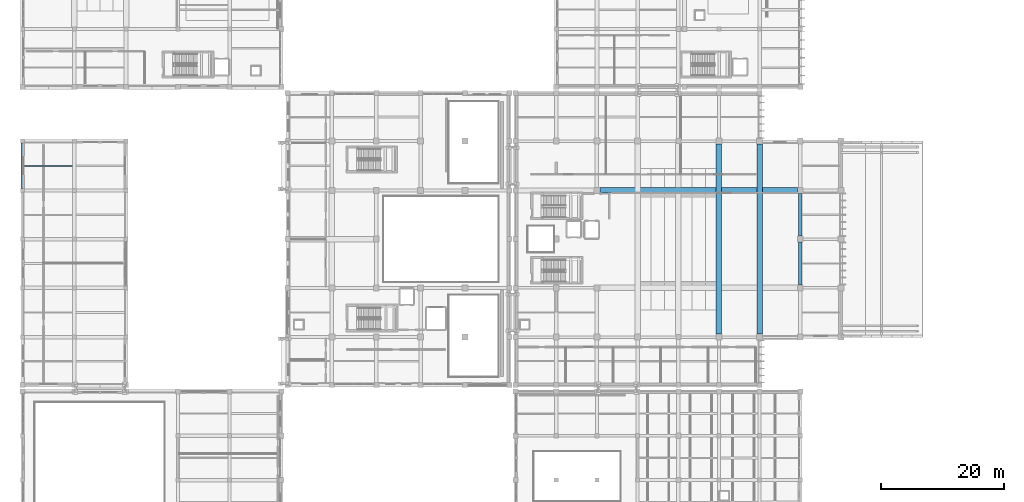
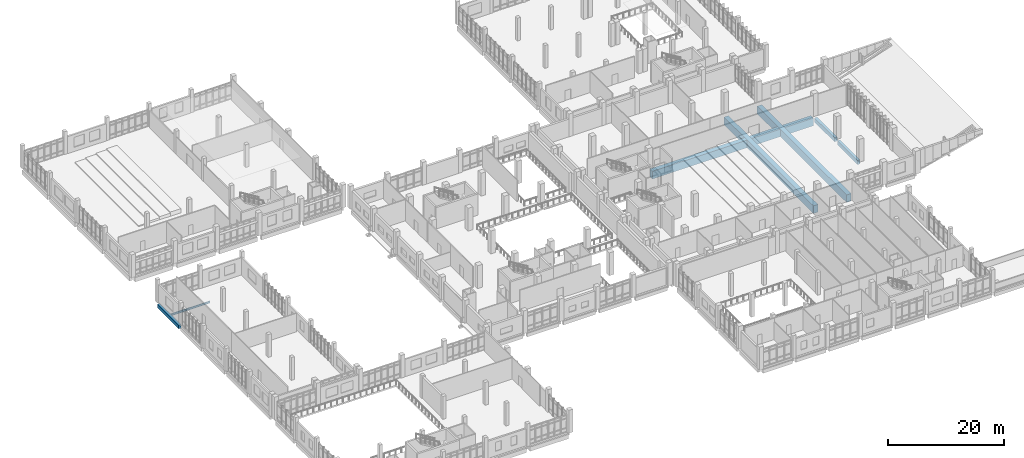
# One storey, part 20 of 90: 7 beams.
"""IFC4 building model written with IfcOpenShell, lengths in metres."""

from ifc_helpers import new_model, si_unit, direction, frame, origin, origin_2d, place, context, subcontext, project, spatial, rectangle, i_section, extrude, material, material_profile, profile_set, type_object, element, save


model = new_model("IFC4")

# Units and contexts
model_context = context("Model", 3, precision=1e-05, world=origin(), true_north=direction((0.0, 1.0)))
body_context = subcontext(model_context, "Body", "Model", "MODEL_VIEW")
ifc_project = project(units=[si_unit("LENGTHUNIT", "METRE"), si_unit("AREAUNIT", "SQUARE_METRE"), si_unit("VOLUMEUNIT", "CUBIC_METRE"), si_unit("PLANEANGLEUNIT", "RADIAN"), si_unit("MASSUNIT", "GRAM", prefix="KILO")], contexts=[model_context])

# Site, building, storey
site_placement = place(None, origin())
site = spatial("IfcSite", under=ifc_project, at=site_placement, CompositionType="ELEMENT")
building_placement = place(site_placement, origin())
building = spatial("IfcBuilding", under=site, at=building_placement, Name="Kelarvand Opera House", CompositionType="ELEMENT")
storey_placement = place(building_placement, frame((0.0, 0.0, 5.39990234375)))
storey = spatial("IfcBuildingStorey", under=building, at=storey_placement, Name="L01", CompositionType="ELEMENT", Elevation=5.39990234375)

# Beams
ifc_material_1 = material(Name="Concrete C40/50", Category="concrete")
ifc_material_profile_1 = material_profile(ifc_material_1, rectangle(XDim=0.550048828125, YDim=0.85009765625, at=origin_2d()), Name="RC 550x850", Category="concrete")
ifc_profile_set_1 = profile_set([ifc_material_profile_1], Name="Concrete C40/50")
beam_type_1 = type_object("IfcBeamType", Name="Structural Beam RC 550x850 BM-RC550x850", PredefinedType="BEAM", material=ifc_profile_set_1)
for number, where, z_axis, x_axis, name in (
    (1, (135.199951171875, 55.074951171875, -0.724853515625), (0.0, 1.0, 0.0), (-1.0, 0.0, 0.0), "V1 L01 Beam BM-RC550x850"),
    (2, (135.199951171875, 62.97509765625, -0.724853515625), (0.0, 1.0, 0.0), (-1.0, 0.0, 0.0), "V1 L01 Beam BM-RC550x850"),
):
    element("IfcBeam", number, at=place(storey_placement, frame(where, z_axis=z_axis, x_axis=x_axis)), inside=storey, type_object=beam_type_1, Name=name, PredefinedType="BEAM", context=body_context, shape_type="SweptSolid", body=[
        extrude(rectangle(XDim=0.550048828125, YDim=0.85009765625, at=origin_2d()), origin(), (0.0, 0.0, 1.0), 6.949951171875),
    ])
ifc_material_profile_2 = material_profile(ifc_material_1, rectangle(XDim=0.89990234375, YDim=1.60009765625, at=origin_2d()), Name="RC 900x1600", Category="concrete")
ifc_profile_set_2 = profile_set([ifc_material_profile_2], Name="Concrete C40/50")
beam_type_2 = type_object("IfcBeamType", Name="Structural Beam RC 900x1600 BM-RC900x1600", PredefinedType="BEAM", material=ifc_profile_set_2)
beam_1_placement = place(storey_placement, frame((102.675048828125, 70.39990234375, -1.099853515625), z_axis=(1.0, 0.0, 0.0), x_axis=(0.0, 1.0, 0.0)))
element("IfcBeam", 3, at=beam_1_placement, inside=storey, type_object=beam_type_2, Name="V1 L01 Beam BM-RC900x1600", PredefinedType="BEAM", context=body_context, shape_type="SweptSolid", body=[
    extrude(rectangle(XDim=0.89990234375, YDim=1.60009765625, at=origin_2d()), origin(), (0.0, 0.0, 1.0), 32.050048828125),
])
for number, where, z_axis, x_axis, name in (
    (4, (122.0, 47.074951171875, -1.099853515625), (0.0, 1.0, 0.0), (-1.0, 0.0, 0.0), "V1 L01 Beam BM-RC900x1600"),
    (5, (128.60009765625, 47.074951171875, -1.099853515625), (0.0, 1.0, 0.0), (-1.0, 0.0, 0.0), "V1 L01 Beam BM-RC900x1600"),
):
    element("IfcBeam", number, at=place(storey_placement, frame(where, z_axis=z_axis, x_axis=x_axis)), inside=storey, type_object=beam_type_2, Name=name, PredefinedType="BEAM", context=body_context, shape_type="SweptSolid", body=[
        extrude(rectangle(XDim=0.89990234375, YDim=1.60009765625, at=origin_2d()), origin(), (0.0, 0.0, 1.0), 30.85009765625),
    ])
ifc_material_2 = material(Name="Steel S355", Category="steel")
ifc_material_profile_3 = material_profile(ifc_material_2, i_section(OverallWidth=0.179931640625, OverallDepth=0.39990234375, WebThickness=0.008544921875, FlangeThickness=0.013427734375, at=origin_2d()), Name="IPE 400", Category="steel")
ifc_profile_set_3 = profile_set([ifc_material_profile_3], Name="Steel S355")
beam_type_3 = type_object("IfcBeamType", Name="Structural Joist IPE 400 JS-IPE400", PredefinedType="JOIST", material=ifc_profile_set_3)
beam_2_placement = place(storey_placement, frame((9.25, 74.39990234375, -0.5), z_axis=(1.0, 0.0, 0.0), x_axis=(0.0, 1.0, 0.0)))
element("IfcBeam", 6, at=beam_2_placement, inside=storey, type_object=beam_type_3, Name="V4 L01 Beam JS-IPE400", PredefinedType="JOIST", context=body_context, shape_type="SweptSolid", body=[
    extrude(i_section(OverallWidth=0.179931640625, OverallDepth=0.39990234375, WebThickness=0.008544921875, FlangeThickness=0.013427734375, at=origin_2d()), origin(), (0.0, 0.0, 1.0), 7.875),
])
ifc_material_profile_4 = material_profile(ifc_material_1, rectangle(XDim=0.5, YDim=0.75, at=origin_2d()), Name="RC 500x750", Category="concrete")
ifc_profile_set_4 = profile_set([ifc_material_profile_4], Name="Concrete C40/50")
beam_type_4 = type_object("IfcBeamType", Name="Structural Spandrel RC 500x750 SP-RC500x750E", PredefinedType="SPANDREL", material=ifc_profile_set_4)
beam_3_placement = place(storey_placement, frame((9.0, 70.72509765625, -0.6748046875), z_axis=(0.0, 1.0, 0.0), x_axis=(-1.0, 0.0, 0.0)))
element("IfcBeam", 7, at=beam_3_placement, inside=storey, type_object=beam_type_4, Name="V4 L01 Beam SP-RC500x750E", PredefinedType="SPANDREL", context=body_context, shape_type="SweptSolid", body=[
    extrude(rectangle(XDim=0.5, YDim=0.75, at=origin_2d()), origin(), (0.0, 0.0, 1.0), 7.349853515625),
])

save(model, "model.ifc")
